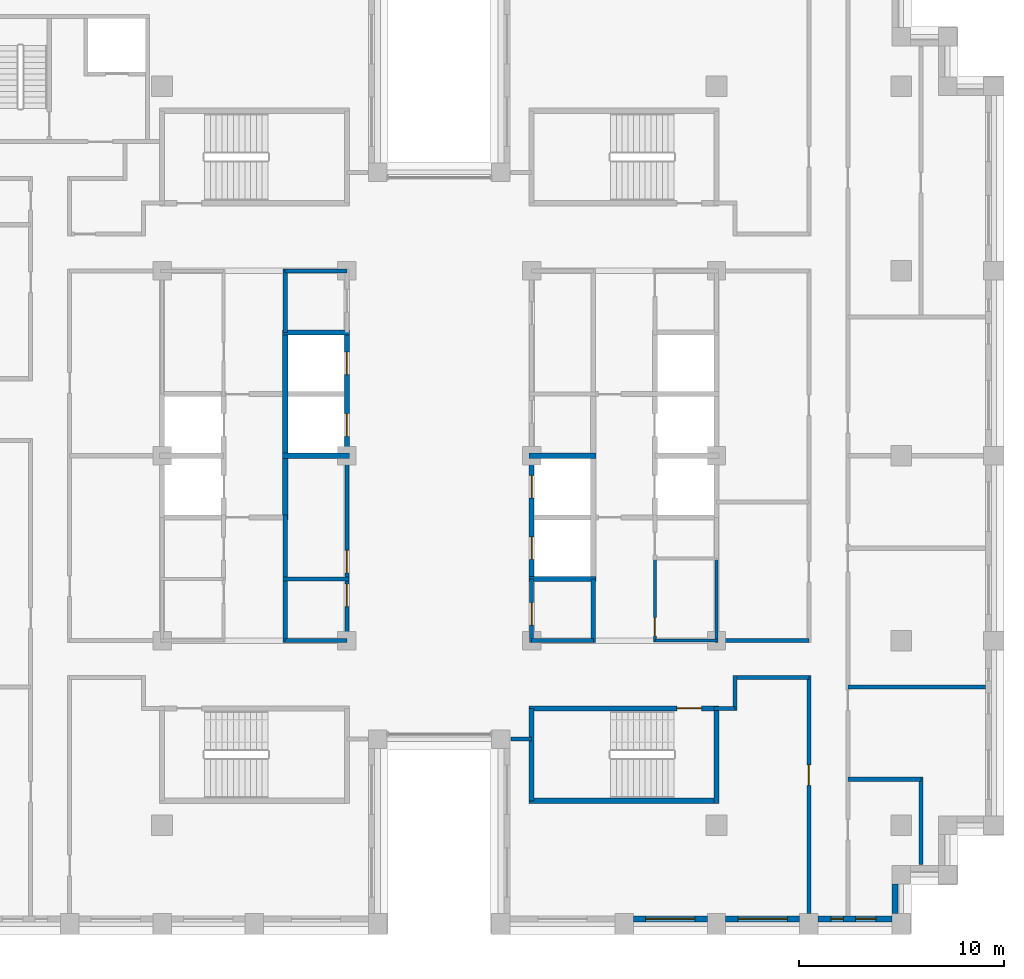
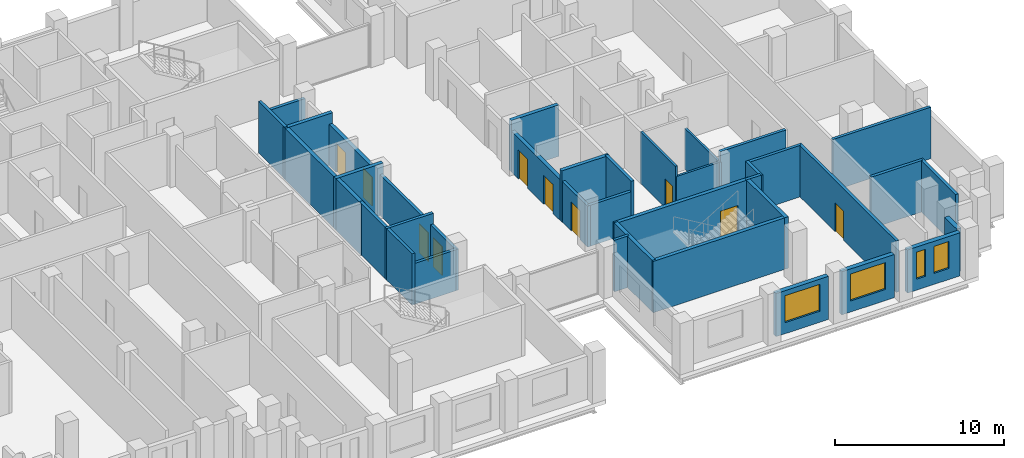
# One storey, part 8 of 15: 36 walls, 10 doors, 4 windows, 14 openings.
"""IFC4 building model written with IfcOpenShell, lengths in metres."""

from ifc_helpers import new_model, si_unit, direction, frame, frame_2d, origin, place, context, subcontext, project, spatial, rectangle, extrude, material, layer, layer_set, type_object, element, fill, save


model = new_model("IFC4")

# Units and contexts
model_context = context("Model", 3, precision=1e-05, world=origin(), true_north=direction((0.0, 1.0)))
body_context = subcontext(model_context, "Body", "Model", "MODEL_VIEW")
ifc_project = project(units=[si_unit("LENGTHUNIT", "METRE"), si_unit("AREAUNIT", "SQUARE_METRE"), si_unit("VOLUMEUNIT", "CUBIC_METRE"), si_unit("PLANEANGLEUNIT", "RADIAN"), si_unit("MASSUNIT", "GRAM", prefix="KILO")], contexts=[model_context])

# Site, building, storey
site_placement = place(None, origin())
site = spatial("IfcSite", under=ifc_project, at=site_placement, CompositionType="ELEMENT")
building_placement = place(site_placement, origin())
building = spatial("IfcBuilding", under=site, at=building_placement, Name="Corbelhall Arena Tower", CompositionType="ELEMENT")
storey_placement = place(building_placement, frame((0.0, 0.0, 200.0)))
storey = spatial("IfcBuildingStorey", under=building, at=storey_placement, Name="L41", CompositionType="ELEMENT", Elevation=200.0)

# Wall, opening, window
ifc_material_1 = material(Name="Precast concrete C40/50 with granite facing", Category="masonry")
ifc_layer_1 = layer(ifc_material_1, 0.300048828125)
ifc_layer_set_1 = layer_set([ifc_layer_1], Name="EV-IW1 Infill panel 300")
wall_type_1 = type_object("IfcWallType", Name="EV-IW1 Infill panel 300", PredefinedType="SOLIDWALL", material=ifc_layer_set_1)
wall_1_placement = place(storey_placement, frame((9.449951171875, -22.550048828125, 0.0), z_axis=(0.0, 0.0, 1.0), x_axis=(1.0, 0.0, 0.0)))
wall_1 = element("IfcWall", 1, at=wall_1_placement, inside=storey, type_object=wall_type_1, Name="Infill panel IW1", PredefinedType="SOLIDWALL", context=body_context, shape_type="SweptSolid", body=[
    extrude(rectangle(XDim=3.60009765625, YDim=0.300048828125, at=frame_2d((1.800048828125, 0.0))), origin(), (0.0, 0.0, 1.0), 3.1201171875),
])
opening_1_placement = place(wall_1_placement, frame((0.60009765625, 0.0, 0.800048828125)))
opening_1 = element("IfcOpeningElement", 2, at=opening_1_placement, cuts=wall_1, Name="Opening WN1", PredefinedType="OPENING", context=body_context, shape_type="SweptSolid", body=[
    extrude(rectangle(XDim=2.39990234375, YDim=1.949951171875, at=frame_2d((1.199951171875, 0.97509765625))), frame((0.0, 0.14990234375, 0.0), z_axis=(0.0, -1.0, 0.0), x_axis=(1.0, 0.0, 0.0)), (0.0, 0.0, 1.0), 0.300048828125),
])
ifc_material_2 = material(Name="Aluminium black anodised", Category="aluminium")
window_type_1 = type_object("IfcWindowType", Name="EV-WN1 Office window", PartitioningType="SINGLE_PANEL", PredefinedType="WINDOW", material=ifc_material_2)
window_1_placement = place(opening_1_placement, origin())
window_1 = element("IfcWindow", 3, at=window_1_placement, inside=storey, type_object=window_type_1, Name="Window WN1", OverallHeight=1.949951171875, OverallWidth=2.39990234375, PartitioningType="SINGLE_PANEL", PredefinedType="WINDOW", context=body_context, shape_type="SweptSolid", body=[
    extrude(rectangle(XDim=2.39990234375, YDim=1.949951171875, at=frame_2d((1.199951171875, 0.97509765625))), frame((0.0, 0.030029296875, 0.0), z_axis=(0.0, -1.0, 0.0), x_axis=(1.0, 0.0, 0.0)), (0.0, 0.0, 1.0), 0.06005859375),
])
fill(opening_1, window_1)

wall_2_placement = place(storey_placement, frame((13.949951171875, -22.550048828125, 0.0), z_axis=(0.0, 0.0, 1.0), x_axis=(1.0, 0.0, 0.0)))
wall_2 = element("IfcWall", 4, at=wall_2_placement, inside=storey, type_object=wall_type_1, Name="Infill panel IW1", PredefinedType="SOLIDWALL", context=body_context, shape_type="SweptSolid", body=[
    extrude(rectangle(XDim=3.60009765625, YDim=0.300048828125, at=frame_2d((1.800048828125, 0.0))), origin(), (0.0, 0.0, 1.0), 3.1201171875),
])
opening_2_placement = place(wall_2_placement, frame((0.60009765625, 0.0, 0.800048828125)))
opening_2 = element("IfcOpeningElement", 5, at=opening_2_placement, cuts=wall_2, Name="Opening WN1", PredefinedType="OPENING", context=body_context, shape_type="SweptSolid", body=[
    extrude(rectangle(XDim=2.39990234375, YDim=1.949951171875, at=frame_2d((1.199951171875, 0.97509765625))), frame((0.0, 0.14990234375, 0.0), z_axis=(0.0, -1.0, 0.0), x_axis=(1.0, 0.0, 0.0)), (0.0, 0.0, 1.0), 0.300048828125),
])
window_2_placement = place(opening_2_placement, origin())
window_2 = element("IfcWindow", 6, at=window_2_placement, inside=storey, type_object=window_type_1, Name="Window WN1", OverallHeight=1.949951171875, OverallWidth=2.39990234375, PartitioningType="SINGLE_PANEL", PredefinedType="WINDOW", context=body_context, shape_type="SweptSolid", body=[
    extrude(rectangle(XDim=2.39990234375, YDim=1.949951171875, at=frame_2d((1.199951171875, 0.97509765625))), frame((0.0, 0.030029296875, 0.0), z_axis=(0.0, -1.0, 0.0), x_axis=(1.0, 0.0, 0.0)), (0.0, 0.0, 1.0), 0.06005859375),
])
fill(opening_2, window_2)

# Wall, openings, windows
wall_3_placement = place(storey_placement, frame((18.449951171875, -22.550048828125, 0.0), z_axis=(0.0, 0.0, 1.0), x_axis=(1.0, 0.0, 0.0)))
wall_3 = element("IfcWall", 7, at=wall_3_placement, inside=storey, type_object=wall_type_1, Name="Infill panel IW1", PredefinedType="SOLIDWALL", context=body_context, shape_type="SweptSolid", body=[
    extrude(rectangle(XDim=3.60009765625, YDim=0.300048828125, at=frame_2d((1.800048828125, 0.0))), origin(), (0.0, 0.0, 1.0), 3.1201171875),
])
opening_3_placement = place(wall_3_placement, frame((0.625, 0.0, 0.800048828125)))
opening_3 = element("IfcOpeningElement", 8, at=opening_3_placement, cuts=wall_3, Name="Opening WN5", PredefinedType="OPENING", context=body_context, shape_type="SweptSolid", body=[
    extrude(rectangle(XDim=0.60009765625, YDim=1.949951171875, at=frame_2d((0.300048828125, 0.97509765625))), frame((0.0, 0.14990234375, 0.0), z_axis=(0.0, -1.0, 0.0), x_axis=(1.0, 0.0, 0.0)), (0.0, 0.0, 1.0), 0.300048828125),
])
opening_4_placement = place(wall_3_placement, frame((1.824951171875, 0.0, 0.800048828125)))
opening_4 = element("IfcOpeningElement", 9, at=opening_4_placement, cuts=wall_3, Name="Opening WN6", PredefinedType="OPENING", context=body_context, shape_type="SweptSolid", body=[
    extrude(rectangle(XDim=1.0, YDim=1.949951171875, at=frame_2d((0.5, 0.97509765625))), frame((0.0, 0.14990234375, 0.0), z_axis=(0.0, -1.0, 0.0), x_axis=(1.0, 0.0, 0.0)), (0.0, 0.0, 1.0), 0.300048828125),
])
window_type_2 = type_object("IfcWindowType", Name="EV-WN5 Office window 600", PartitioningType="SINGLE_PANEL", PredefinedType="WINDOW", material=ifc_material_2)
window_3_placement = place(opening_3_placement, origin())
window_3 = element("IfcWindow", 10, at=window_3_placement, inside=storey, type_object=window_type_2, Name="Window WN5", OverallHeight=1.949951171875, OverallWidth=0.60009765625, PartitioningType="SINGLE_PANEL", PredefinedType="WINDOW", context=body_context, shape_type="SweptSolid", body=[
    extrude(rectangle(XDim=0.60009765625, YDim=1.949951171875, at=frame_2d((0.300048828125, 0.97509765625))), frame((0.0, 0.030029296875, 0.0), z_axis=(0.0, -1.0, 0.0), x_axis=(1.0, 0.0, 0.0)), (0.0, 0.0, 1.0), 0.06005859375),
])
fill(opening_3, window_3)
window_type_3 = type_object("IfcWindowType", Name="EV-WN6 Office window 1000", PartitioningType="SINGLE_PANEL", PredefinedType="WINDOW", material=ifc_material_2)
window_4_placement = place(opening_4_placement, origin())
window_4 = element("IfcWindow", 11, at=window_4_placement, inside=storey, type_object=window_type_3, Name="Window WN6", OverallHeight=1.949951171875, OverallWidth=1.0, PartitioningType="SINGLE_PANEL", PredefinedType="WINDOW", context=body_context, shape_type="SweptSolid", body=[
    extrude(rectangle(XDim=1.0, YDim=1.949951171875, at=frame_2d((0.5, 0.97509765625))), frame((0.0, 0.030029296875, 0.0), z_axis=(0.0, -1.0, 0.0), x_axis=(1.0, 0.0, 0.0)), (0.0, 0.0, 1.0), 0.06005859375),
])
fill(opening_4, window_4)

# Walls
wall_4_placement = place(storey_placement, frame((22.199951171875, -22.300048828125, 0.0), z_axis=(0.0, 0.0, 1.0), x_axis=(0.0, 1.0, 0.0)))
element("IfcWall", 12, at=wall_4_placement, inside=storey, type_object=wall_type_1, Name="Infill panel IW1", PredefinedType="SOLIDWALL", context=body_context, shape_type="SweptSolid", body=[
    extrude(rectangle(XDim=1.449951171875, YDim=0.300048828125, at=frame_2d((0.72509765625, 0.0))), origin(), (0.0, 0.0, 1.0), 3.1201171875),
])
ifc_material_3 = material(Name="Gypsum board on steel stud, acoustic", Category="steel")
ifc_layer_2 = layer(ifc_material_3, 0.199951171875)
ifc_layer_set_2 = layer_set([ifc_layer_2], Name="IN-W-DM200")
wall_type_2 = type_object("IfcWallType", Name="IN-W-DM200", PredefinedType="PARTITIONING", material=ifc_layer_set_2)
wall_5_placement = place(storey_placement, frame((4.5, -13.800048828125, 0.0), z_axis=(0.0, 0.0, 1.0), x_axis=(-1.0, 0.0, 0.0)))
element("IfcWall", 13, at=wall_5_placement, inside=storey, type_object=wall_type_2, Name="Partition 035", PredefinedType="PARTITIONING", context=body_context, shape_type="SweptSolid", body=[
    extrude(rectangle(XDim=1.0, YDim=0.199951171875, at=frame_2d((0.5, 0.0))), origin(), (0.0, 0.0, 1.0), 3.719970703125),
])
wall_6_placement = place(storey_placement, frame((13.5, -9.0, 0.0), z_axis=(0.0, 0.0, 1.0), x_axis=(1.0, 0.0, 0.0)))
element("IfcWall", 14, at=wall_6_placement, inside=storey, type_object=wall_type_2, Name="Partition 037", PredefinedType="PARTITIONING", context=body_context, shape_type="SweptSolid", body=[
    extrude(rectangle(XDim=4.5, YDim=0.199951171875, at=frame_2d((2.25, 0.0))), origin(), (0.0, 0.0, 1.0), 3.719970703125),
])
wall_7_placement = place(storey_placement, frame((14.39990234375, -12.300048828125, 0.0), z_axis=(0.0, 0.0, 1.0), x_axis=(-1.0, 0.0, 0.0)))
element("IfcWall", 15, at=wall_7_placement, inside=storey, type_object=wall_type_2, Name="Partition 039", PredefinedType="PARTITIONING", context=body_context, shape_type="SweptSolid", body=[
    extrude(rectangle(XDim=1.02490234375, YDim=0.199951171875, at=frame_2d((0.512451171875, 0.0))), origin(), (0.0, 0.0, 1.0), 3.719970703125),
])
wall_8_placement = place(storey_placement, frame((14.39990234375, -10.699951171875, 0.0), z_axis=(0.0, 0.0, 1.0), x_axis=(0.0, -1.0, 0.0)))
element("IfcWall", 16, at=wall_8_placement, inside=storey, type_object=wall_type_2, Name="Partition 040", PredefinedType="PARTITIONING", context=body_context, shape_type="SweptSolid", body=[
    extrude(rectangle(XDim=1.699951171875, YDim=0.199951171875, at=frame_2d((0.85009765625, 0.0))), origin(), (0.0, 0.0, 1.0), 3.719970703125),
])

# Wall, opening, door
wall_9_placement = place(storey_placement, frame((18.0, -22.300048828125, 0.0), z_axis=(0.0, 0.0, 1.0), x_axis=(0.0, 1.0, 0.0)))
wall_9 = element("IfcWall", 17, at=wall_9_placement, inside=storey, type_object=wall_type_2, Name="Partition 044", PredefinedType="PARTITIONING", context=body_context, shape_type="SweptSolid", body=[
    extrude(rectangle(XDim=11.60009765625, YDim=0.199951171875, at=frame_2d((5.800048828125, 0.0))), origin(), (0.0, 0.0, 1.0), 3.719970703125),
])
opening_5_placement = place(wall_9_placement, frame((6.25, 0.0, 0.0)))
opening_5 = element("IfcOpeningElement", 18, at=opening_5_placement, cuts=wall_9, Name="Opening 12030", PredefinedType="OPENING", context=body_context, shape_type="SweptSolid", body=[
    extrude(rectangle(XDim=1.0, YDim=2.10009765625, at=frame_2d((0.5, 1.050048828125))), frame((0.0, 0.10009765625, 0.0), z_axis=(0.0, -1.0, 0.0), x_axis=(1.0, 0.0, 0.0)), (0.0, 0.0, 1.0), 0.199951171875),
])
ifc_material_4 = material(Name="Steel door set", Category="steel")
door_type_1 = type_object("IfcDoorType", Name="IN-D-SW100", OperationType="NOTDEFINED", PredefinedType="DOOR", material=ifc_material_4)
door_1_placement = place(opening_5_placement, origin())
door_1 = element("IfcDoor", 19, at=door_1_placement, inside=storey, type_object=door_type_1, Name="Door 030", OperationType="SINGLE_SWING_LEFT", OverallHeight=2.10009765625, OverallWidth=1.0, PredefinedType="DOOR", context=body_context, shape_type="SweptSolid", body=[
    extrude(rectangle(XDim=1.0, YDim=2.10009765625, at=frame_2d((0.5, 1.050048828125))), frame((0.0, 0.02490234375, 0.0), z_axis=(0.0, -1.0, 0.0), x_axis=(1.0, 0.0, 0.0)), (0.0, 0.0, 1.0), 0.050048828125),
])
fill(opening_5, door_1)

# Walls
wall_10_placement = place(storey_placement, frame((18.0, -10.800048828125, 0.0), z_axis=(0.0, 0.0, 1.0), x_axis=(-1.0, 0.0, 0.0)))
element("IfcWall", 20, at=wall_10_placement, inside=storey, type_object=wall_type_2, Name="Partition 045", PredefinedType="PARTITIONING", context=body_context, shape_type="SweptSolid", body=[
    extrude(rectangle(XDim=3.60009765625, YDim=0.199951171875, at=frame_2d((1.800048828125, 0.0))), origin(), (0.0, 0.0, 1.0), 3.719970703125),
])
wall_11_placement = place(storey_placement, frame((19.89990234375, -15.75, 0.0), z_axis=(0.0, 0.0, 1.0), x_axis=(1.0, 0.0, 0.0)))
element("IfcWall", 21, at=wall_11_placement, inside=storey, type_object=wall_type_2, Name="Partition 048", PredefinedType="PARTITIONING", context=body_context, shape_type="SweptSolid", body=[
    extrude(rectangle(XDim=3.550048828125, YDim=0.199951171875, at=frame_2d((1.77490234375, 0.0))), origin(), (0.0, 0.0, 1.0), 3.719970703125),
])
wall_12_placement = place(storey_placement, frame((19.89990234375, -11.25, 0.0), z_axis=(0.0, 0.0, 1.0), x_axis=(1.0, 0.0, 0.0)))
element("IfcWall", 22, at=wall_12_placement, inside=storey, type_object=wall_type_2, Name="Partition 050", PredefinedType="PARTITIONING", context=body_context, shape_type="SweptSolid", body=[
    extrude(rectangle(XDim=6.7001953125, YDim=0.199951171875, at=frame_2d((3.35009765625, 0.0))), origin(), (0.0, 0.0, 1.0), 3.719970703125),
])
wall_13_placement = place(storey_placement, frame((23.449951171875, -15.64990234375, 0.0), z_axis=(0.0, 0.0, 1.0), x_axis=(0.0, -1.0, 0.0)))
element("IfcWall", 23, at=wall_13_placement, inside=storey, type_object=wall_type_2, Name="Partition 053", PredefinedType="PARTITIONING", context=body_context, shape_type="SweptSolid", body=[
    extrude(rectangle(XDim=4.25, YDim=0.199951171875, at=frame_2d((2.125, 0.0))), origin(), (0.0, 0.0, 1.0), 3.719970703125),
])
ifc_material_5 = material(Name="Concrete block wall", Category="concrete")
ifc_layer_3 = layer(ifc_material_5, 0.199951171875)
ifc_layer_set_3 = layer_set([ifc_layer_3], Name="IN-W-RS200")
wall_type_3 = type_object("IfcWallType", Name="IN-W-RS200", PredefinedType="SOLIDWALL", material=ifc_layer_set_3)
wall_14_placement = place(storey_placement, frame((-7.60009765625, -6.0, 0.0), z_axis=(0.0, 0.0, 1.0), x_axis=(1.0, 0.0, 0.0)))
element("IfcWall", 24, at=wall_14_placement, inside=storey, type_object=wall_type_3, Name="Partition 058", PredefinedType="SOLIDWALL", context=body_context, shape_type="SweptSolid", body=[
    extrude(rectangle(XDim=3.2001953125, YDim=0.199951171875, at=frame_2d((1.60009765625, 0.0))), origin(), (0.0, 0.0, 1.0), 3.719970703125),
])
wall_15_placement = place(storey_placement, frame((-7.5, -9.10009765625, 0.0), z_axis=(0.0, 0.0, 1.0), x_axis=(0.0, 1.0, 0.0)))
element("IfcWall", 25, at=wall_15_placement, inside=storey, type_object=wall_type_3, Name="Partition 059", PredefinedType="SOLIDWALL", context=body_context, shape_type="SweptSolid", body=[
    extrude(rectangle(XDim=6.22509765625, YDim=0.199951171875, at=frame_2d((3.112548828125, 0.0))), origin(), (0.0, 0.0, 1.0), 3.719970703125),
])
for number, where, z_axis, x_axis, name in (
    (26, (-7.5, 6.0, 0.0), (0.0, 0.0, 1.0), (0.0, 1.0, 0.0), "Partition 060"),
    (27, (7.5, -6.0, 0.0), (0.0, 0.0, 1.0), (0.0, -1.0, 0.0), "Partition 070"),
):
    element("IfcWall", number, at=place(storey_placement, frame(where, z_axis=z_axis, x_axis=x_axis)), inside=storey, type_object=wall_type_3, Name=name, PredefinedType="SOLIDWALL", context=body_context, shape_type="SweptSolid", body=[
        extrude(rectangle(XDim=3.10009765625, YDim=0.199951171875, at=frame_2d((1.550048828125, 0.0))), origin(), (0.0, 0.0, 1.0), 3.719970703125),
    ])
ifc_layer_4 = layer(ifc_material_5, 0.199951171875)
ifc_layer_set_4 = layer_set([ifc_layer_4], Name="IN-W-RS200 under beam 762 mm")
wall_type_4 = type_object("IfcWallType", Name="IN-W-RS200 under beam 762 mm", PredefinedType="SOLIDWALL", material=ifc_layer_set_4)
for number, where, z_axis, x_axis, name in (
    (28, (-7.5, 9.0, 0.0), (0.0, 0.0, 1.0), (1.0, 0.0, 0.0), "Partition 061"),
    (29, (-4.5, -9.0, 0.0), (0.0, 0.0, 1.0), (-1.0, 0.0, 0.0), "Partition 062"),
):
    element("IfcWall", number, at=place(storey_placement, frame(where, z_axis=z_axis, x_axis=x_axis)), inside=storey, type_object=wall_type_4, Name=name, PredefinedType="SOLIDWALL", context=body_context, shape_type="SweptSolid", body=[
        extrude(rectangle(XDim=3.0, YDim=0.199951171875, at=frame_2d((1.5, 0.0))), origin(), (0.0, 0.0, 1.0), 2.9580078125),
    ])

# Wall, openings, doors
wall_16_placement = place(storey_placement, frame((-4.5, 0.0, 0.0), z_axis=(0.0, 0.0, 1.0), x_axis=(0.0, -1.0, 0.0)))
wall_16 = element("IfcWall", 30, at=wall_16_placement, inside=storey, type_object=wall_type_4, Name="Partition 063", PredefinedType="SOLIDWALL", context=body_context, shape_type="SweptSolid", body=[
    extrude(rectangle(XDim=9.10009765625, YDim=0.199951171875, at=frame_2d((4.550048828125, 0.0))), origin(), (0.0, 0.0, 1.0), 2.9580078125),
])
opening_6_placement = place(wall_16_placement, frame((6.25, 0.0, 0.0)))
opening_6 = element("IfcOpeningElement", 31, at=opening_6_placement, cuts=wall_16, Name="Opening 12001", PredefinedType="OPENING", context=body_context, shape_type="SweptSolid", body=[
    extrude(rectangle(XDim=1.10009765625, YDim=2.10009765625, at=frame_2d((0.550048828125, 1.050048828125))), frame((0.0, 0.10009765625, 0.0), z_axis=(0.0, -1.0, 0.0), x_axis=(1.0, 0.0, 0.0)), (0.0, 0.0, 1.0), 0.199951171875),
])
opening_7_placement = place(wall_16_placement, frame((4.60009765625, 0.0, 0.0)))
opening_7 = element("IfcOpeningElement", 32, at=opening_7_placement, cuts=wall_16, Name="Opening 12002", PredefinedType="OPENING", context=body_context, shape_type="SweptSolid", body=[
    extrude(rectangle(XDim=1.10009765625, YDim=2.10009765625, at=frame_2d((0.550048828125, 1.050048828125))), frame((0.0, 0.10009765625, 0.0), z_axis=(0.0, -1.0, 0.0), x_axis=(1.0, 0.0, 0.0)), (0.0, 0.0, 1.0), 0.199951171875),
])
door_type_2 = type_object("IfcDoorType", Name="IN-D-FD110", OperationType="NOTDEFINED", PredefinedType="DOOR", material=ifc_material_4)
door_2_placement = place(opening_6_placement, origin())
door_2 = element("IfcDoor", 33, at=door_2_placement, inside=storey, type_object=door_type_2, Name="Door 001", OperationType="SINGLE_SWING_RIGHT", OverallHeight=2.10009765625, OverallWidth=1.10009765625, PredefinedType="DOOR", context=body_context, shape_type="SweptSolid", body=[
    extrude(rectangle(XDim=1.10009765625, YDim=2.10009765625, at=frame_2d((0.550048828125, 1.050048828125))), frame((0.0, 0.02490234375, 0.0), z_axis=(0.0, -1.0, 0.0), x_axis=(1.0, 0.0, 0.0)), (0.0, 0.0, 1.0), 0.050048828125),
])
fill(opening_6, door_2)
door_3_placement = place(opening_7_placement, origin())
door_3 = element("IfcDoor", 34, at=door_3_placement, inside=storey, type_object=door_type_2, Name="Door 002", OperationType="SINGLE_SWING_LEFT", OverallHeight=2.10009765625, OverallWidth=1.10009765625, PredefinedType="DOOR", context=body_context, shape_type="SweptSolid", body=[
    extrude(rectangle(XDim=1.10009765625, YDim=2.10009765625, at=frame_2d((0.550048828125, 1.050048828125))), frame((0.0, 0.02490234375, 0.0), z_axis=(0.0, -1.0, 0.0), x_axis=(1.0, 0.0, 0.0)), (0.0, 0.0, 1.0), 0.050048828125),
])
fill(opening_7, door_3)

# Wall, opening, door
wall_17_placement = place(storey_placement, frame((4.5, -9.10009765625, 0.0), z_axis=(0.0, 0.0, 1.0), x_axis=(0.0, 1.0, 0.0)))
wall_17 = element("IfcWall", 35, at=wall_17_placement, inside=storey, type_object=wall_type_4, Name="Partition 066", PredefinedType="SOLIDWALL", context=body_context, shape_type="SweptSolid", body=[
    extrude(rectangle(XDim=3.10009765625, YDim=0.199951171875, at=frame_2d((1.550048828125, 0.0))), origin(), (0.0, 0.0, 1.0), 2.9580078125),
])
opening_8_placement = place(wall_17_placement, frame((0.85009765625, 0.0, 0.0)))
opening_8 = element("IfcOpeningElement", 36, at=opening_8_placement, cuts=wall_17, Name="Opening 12009", PredefinedType="OPENING", context=body_context, shape_type="SweptSolid", body=[
    extrude(rectangle(XDim=1.10009765625, YDim=2.10009765625, at=frame_2d((0.550048828125, 1.050048828125))), frame((0.0, 0.10009765625, 0.0), z_axis=(0.0, -1.0, 0.0), x_axis=(1.0, 0.0, 0.0)), (0.0, 0.0, 1.0), 0.199951171875),
])
door_4_placement = place(opening_8_placement, origin())
door_4 = element("IfcDoor", 37, at=door_4_placement, inside=storey, type_object=door_type_2, Name="Door 009", OperationType="SINGLE_SWING_RIGHT", OverallHeight=2.10009765625, OverallWidth=1.10009765625, PredefinedType="DOOR", context=body_context, shape_type="SweptSolid", body=[
    extrude(rectangle(XDim=1.10009765625, YDim=2.10009765625, at=frame_2d((0.550048828125, 1.050048828125))), frame((0.0, 0.02490234375, 0.0), z_axis=(0.0, -1.0, 0.0), x_axis=(1.0, 0.0, 0.0)), (0.0, 0.0, 1.0), 0.050048828125),
])
fill(opening_8, door_4)

# Walls
wall_18_placement = place(storey_placement, frame((7.5, -9.0, 0.0), z_axis=(0.0, 0.0, 1.0), x_axis=(-1.0, 0.0, 0.0)))
element("IfcWall", 38, at=wall_18_placement, inside=storey, type_object=wall_type_4, Name="Partition 069", PredefinedType="SOLIDWALL", context=body_context, shape_type="SweptSolid", body=[
    extrude(rectangle(XDim=3.0, YDim=0.199951171875, at=frame_2d((1.5, 0.0))), origin(), (0.0, 0.0, 1.0), 2.9580078125),
])
ifc_material_6 = material(Name="Concrete C40/50", Category="concrete")
ifc_layer_5 = layer(ifc_material_6, 0.25)
ifc_layer_set_5 = layer_set([ifc_layer_5], Name="IN-W-SH250")
wall_type_5 = type_object("IfcWallType", Name="IN-W-SH250", PredefinedType="SOLIDWALL", material=ifc_layer_set_5)
for number, where, z_axis, x_axis, name in (
    (39, (-7.625, 0.0, 0.0), (0.0, 0.0, 1.0), (1.0, 0.0, 0.0), "Shaft wall 082"),
    (40, (-7.625, 6.0, 0.0), (0.0, 0.0, 1.0), (1.0, 0.0, 0.0), "Shaft wall 083"),
):
    element("IfcWall", number, at=place(storey_placement, frame(where, z_axis=z_axis, x_axis=x_axis)), inside=storey, type_object=wall_type_5, Name=name, PredefinedType="SOLIDWALL", context=body_context, shape_type="SweptSolid", body=[
        extrude(rectangle(XDim=3.25, YDim=0.25, at=frame_2d((1.625, 0.0))), origin(), (0.0, 0.0, 1.0), 3.719970703125),
    ])
wall_19_placement = place(storey_placement, frame((-7.5, -3.125, 0.0), z_axis=(0.0, 0.0, 1.0), x_axis=(0.0, 1.0, 0.0)))
element("IfcWall", 41, at=wall_19_placement, inside=storey, type_object=wall_type_5, Name="Shaft wall 084", PredefinedType="SOLIDWALL", context=body_context, shape_type="SweptSolid", body=[
    extrude(rectangle(XDim=9.125, YDim=0.25, at=frame_2d((4.5625, 0.0))), origin(), (0.0, 0.0, 1.0), 3.719970703125),
])
for number, where, z_axis, x_axis, name in (
    (42, (4.375, -6.0, 0.0), (0.0, 0.0, 1.0), (1.0, 0.0, 0.0), "Shaft wall 086"),
    (43, (4.375, 0.0, 0.0), (0.0, 0.0, 1.0), (1.0, 0.0, 0.0), "Shaft wall 088"),
):
    element("IfcWall", number, at=place(storey_placement, frame(where, z_axis=z_axis, x_axis=x_axis)), inside=storey, type_object=wall_type_5, Name=name, PredefinedType="SOLIDWALL", context=body_context, shape_type="SweptSolid", body=[
        extrude(rectangle(XDim=3.25, YDim=0.25, at=frame_2d((1.625, 0.0))), origin(), (0.0, 0.0, 1.0), 3.719970703125),
    ])

# Wall, openings, doors
ifc_layer_6 = layer(ifc_material_6, 0.25)
ifc_layer_set_6 = layer_set([ifc_layer_6], Name="IN-W-SH250 under beam 762 mm")
wall_type_6 = type_object("IfcWallType", Name="IN-W-SH250 under beam 762 mm", PredefinedType="SOLIDWALL", material=ifc_layer_set_6)
wall_20_placement = place(storey_placement, frame((-4.5, 6.0, 0.0), z_axis=(0.0, 0.0, 1.0), x_axis=(0.0, -1.0, 0.0)))
wall_20 = element("IfcWall", 44, at=wall_20_placement, inside=storey, type_object=wall_type_6, Name="Shaft wall 085", PredefinedType="SOLIDWALL", context=body_context, shape_type="SweptSolid", body=[
    extrude(rectangle(XDim=6.0, YDim=0.25, at=frame_2d((3.0, 0.0))), origin(), (0.0, 0.0, 1.0), 2.9580078125),
])
opening_9_placement = place(wall_20_placement, frame((3.949951171875, 0.0, 0.0)))
opening_9 = element("IfcOpeningElement", 45, at=opening_9_placement, cuts=wall_20, Name="Opening LD", PredefinedType="OPENING", context=body_context, shape_type="SweptSolid", body=[
    extrude(rectangle(XDim=1.10009765625, YDim=2.10009765625, at=frame_2d((0.550048828125, 1.050048828125))), frame((0.0, 0.125, 0.0), z_axis=(0.0, -1.0, 0.0), x_axis=(1.0, 0.0, 0.0)), (0.0, 0.0, 1.0), 0.25),
])
opening_10_placement = place(wall_20_placement, frame((0.949951171875, 0.0, 0.0)))
opening_10 = element("IfcOpeningElement", 46, at=opening_10_placement, cuts=wall_20, Name="Opening LD", PredefinedType="OPENING", context=body_context, shape_type="SweptSolid", body=[
    extrude(rectangle(XDim=1.10009765625, YDim=2.10009765625, at=frame_2d((0.550048828125, 1.050048828125))), frame((0.0, 0.125, 0.0), z_axis=(0.0, -1.0, 0.0), x_axis=(1.0, 0.0, 0.0)), (0.0, 0.0, 1.0), 0.25),
])
door_type_3 = type_object("IfcDoorType", Name="IN-D-LD110", OperationType="NOTDEFINED", PredefinedType="DOOR", material=ifc_material_4)
door_5_placement = place(opening_9_placement, origin())
door_5 = element("IfcDoor", 47, at=door_5_placement, inside=storey, type_object=door_type_3, Name="Landing door W4", OperationType="SLIDING_TO_LEFT", OverallHeight=2.10009765625, OverallWidth=1.10009765625, PredefinedType="DOOR", context=body_context, shape_type="SweptSolid", body=[
    extrude(rectangle(XDim=1.10009765625, YDim=2.10009765625, at=frame_2d((0.550048828125, 1.050048828125))), frame((0.0, 0.02490234375, 0.0), z_axis=(0.0, -1.0, 0.0), x_axis=(1.0, 0.0, 0.0)), (0.0, 0.0, 1.0), 0.050048828125),
])
fill(opening_9, door_5)
door_6_placement = place(opening_10_placement, origin())
door_6 = element("IfcDoor", 48, at=door_6_placement, inside=storey, type_object=door_type_3, Name="Landing door W5", OperationType="SLIDING_TO_LEFT", OverallHeight=2.10009765625, OverallWidth=1.10009765625, PredefinedType="DOOR", context=body_context, shape_type="SweptSolid", body=[
    extrude(rectangle(XDim=1.10009765625, YDim=2.10009765625, at=frame_2d((0.550048828125, 1.050048828125))), frame((0.0, 0.02490234375, 0.0), z_axis=(0.0, -1.0, 0.0), x_axis=(1.0, 0.0, 0.0)), (0.0, 0.0, 1.0), 0.050048828125),
])
fill(opening_10, door_6)

wall_21_placement = place(storey_placement, frame((4.5, -6.0, 0.0), z_axis=(0.0, 0.0, 1.0), x_axis=(0.0, 1.0, 0.0)))
wall_21 = element("IfcWall", 49, at=wall_21_placement, inside=storey, type_object=wall_type_6, Name="Shaft wall 089", PredefinedType="SOLIDWALL", context=body_context, shape_type="SweptSolid", body=[
    extrude(rectangle(XDim=6.0, YDim=0.25, at=frame_2d((3.0, 0.0))), origin(), (0.0, 0.0, 1.0), 2.9580078125),
])
opening_11_placement = place(wall_21_placement, frame((0.949951171875, 0.0, 0.0)))
opening_11 = element("IfcOpeningElement", 50, at=opening_11_placement, cuts=wall_21, Name="Opening LD", PredefinedType="OPENING", context=body_context, shape_type="SweptSolid", body=[
    extrude(rectangle(XDim=1.10009765625, YDim=2.10009765625, at=frame_2d((0.550048828125, 1.050048828125))), frame((0.0, 0.125, 0.0), z_axis=(0.0, -1.0, 0.0), x_axis=(1.0, 0.0, 0.0)), (0.0, 0.0, 1.0), 0.25),
])
opening_12_placement = place(wall_21_placement, frame((3.949951171875, 0.0, 0.0)))
opening_12 = element("IfcOpeningElement", 51, at=opening_12_placement, cuts=wall_21, Name="Opening LD", PredefinedType="OPENING", context=body_context, shape_type="SweptSolid", body=[
    extrude(rectangle(XDim=1.10009765625, YDim=2.10009765625, at=frame_2d((0.550048828125, 1.050048828125))), frame((0.0, 0.125, 0.0), z_axis=(0.0, -1.0, 0.0), x_axis=(1.0, 0.0, 0.0)), (0.0, 0.0, 1.0), 0.25),
])
door_7_placement = place(opening_11_placement, origin())
door_7 = element("IfcDoor", 52, at=door_7_placement, inside=storey, type_object=door_type_3, Name="Landing door E2", OperationType="SLIDING_TO_LEFT", OverallHeight=2.10009765625, OverallWidth=1.10009765625, PredefinedType="DOOR", context=body_context, shape_type="SweptSolid", body=[
    extrude(rectangle(XDim=1.10009765625, YDim=2.10009765625, at=frame_2d((0.550048828125, 1.050048828125))), frame((0.0, 0.02490234375, 0.0), z_axis=(0.0, -1.0, 0.0), x_axis=(1.0, 0.0, 0.0)), (0.0, 0.0, 1.0), 0.050048828125),
])
fill(opening_11, door_7)
door_8_placement = place(opening_12_placement, origin())
door_8 = element("IfcDoor", 53, at=door_8_placement, inside=storey, type_object=door_type_3, Name="Landing door E3", OperationType="SLIDING_TO_LEFT", OverallHeight=2.10009765625, OverallWidth=1.10009765625, PredefinedType="DOOR", context=body_context, shape_type="SweptSolid", body=[
    extrude(rectangle(XDim=1.10009765625, YDim=2.10009765625, at=frame_2d((0.550048828125, 1.050048828125))), frame((0.0, 0.02490234375, 0.0), z_axis=(0.0, -1.0, 0.0), x_axis=(1.0, 0.0, 0.0)), (0.0, 0.0, 1.0), 0.050048828125),
])
fill(opening_12, door_8)

# Walls
ifc_layer_7 = layer(ifc_material_6, 0.25)
ifc_layer_set_7 = layer_set([ifc_layer_7], Name="IN-W-ST250")
wall_type_7 = type_object("IfcWallType", Name="IN-W-ST250", PredefinedType="SOLIDWALL", material=ifc_layer_set_7)
wall_22_placement = place(storey_placement, frame((4.5, -16.800048828125, 0.0), z_axis=(0.0, 0.0, 1.0), x_axis=(0.0, 1.0, 0.0)))
element("IfcWall", 54, at=wall_22_placement, inside=storey, type_object=wall_type_7, Name="Shaft wall 112", PredefinedType="SOLIDWALL", context=body_context, shape_type="SweptSolid", body=[
    extrude(rectangle(XDim=4.5, YDim=0.25, at=frame_2d((2.25, 0.0))), origin(), (0.0, 0.0, 1.0), 3.719970703125),
])
wall_23_placement = place(storey_placement, frame((13.5, -16.800048828125, 0.0), z_axis=(0.0, 0.0, 1.0), x_axis=(-1.0, 0.0, 0.0)))
element("IfcWall", 55, at=wall_23_placement, inside=storey, type_object=wall_type_7, Name="Shaft wall 114", PredefinedType="SOLIDWALL", context=body_context, shape_type="SweptSolid", body=[
    extrude(rectangle(XDim=9.125, YDim=0.25, at=frame_2d((4.5625, 0.0))), origin(), (0.0, 0.0, 1.0), 3.719970703125),
])
wall_24_placement = place(storey_placement, frame((13.5, -12.300048828125, 0.0), z_axis=(0.0, 0.0, 1.0), x_axis=(0.0, -1.0, 0.0)))
element("IfcWall", 56, at=wall_24_placement, inside=storey, type_object=wall_type_7, Name="Shaft wall 115", PredefinedType="SOLIDWALL", context=body_context, shape_type="SweptSolid", body=[
    extrude(rectangle(XDim=4.625, YDim=0.25, at=frame_2d((2.3125, 0.0))), origin(), (0.0, 0.0, 1.0), 3.719970703125),
])

# Wall, opening, door
wall_25_placement = place(storey_placement, frame((13.625, -12.300048828125, 0.0), z_axis=(0.0, 0.0, 1.0), x_axis=(-1.0, 0.0, 0.0)))
wall_25 = element("IfcWall", 57, at=wall_25_placement, inside=storey, type_object=wall_type_7, Name="Shaft wall 117", PredefinedType="SOLIDWALL", context=body_context, shape_type="SweptSolid", body=[
    extrude(rectangle(XDim=9.25, YDim=0.25, at=frame_2d((4.625, 0.0))), origin(), (0.0, 0.0, 1.0), 3.719970703125),
])
opening_13_placement = place(wall_25_placement, frame((0.85009765625, 0.0, 0.0)))
opening_13 = element("IfcOpeningElement", 58, at=opening_13_placement, cuts=wall_25, Name="Opening 12020", PredefinedType="OPENING", context=body_context, shape_type="SweptSolid", body=[
    extrude(rectangle(XDim=1.199951171875, YDim=2.10009765625, at=frame_2d((0.60009765625, 1.050048828125))), frame((0.0, 0.125, 0.0), z_axis=(0.0, -1.0, 0.0), x_axis=(1.0, 0.0, 0.0)), (0.0, 0.0, 1.0), 0.25),
])
door_type_4 = type_object("IfcDoorType", Name="IN-D-ST120", OperationType="NOTDEFINED", PredefinedType="DOOR", material=ifc_material_4)
door_9_placement = place(opening_13_placement, origin())
door_9 = element("IfcDoor", 59, at=door_9_placement, inside=storey, type_object=door_type_4, Name="Door 020", OperationType="SINGLE_SWING_LEFT", OverallHeight=2.10009765625, OverallWidth=1.199951171875, PredefinedType="DOOR", context=body_context, shape_type="SweptSolid", body=[
    extrude(rectangle(XDim=1.199951171875, YDim=2.10009765625, at=frame_2d((0.60009765625, 1.050048828125))), frame((0.0, 0.02490234375, 0.0), z_axis=(0.0, -1.0, 0.0), x_axis=(1.0, 0.0, 0.0)), (0.0, 0.0, 1.0), 0.050048828125),
])
fill(opening_13, door_9)

ifc_material_7 = material(Name="Gypsum board on steel stud, moisture resistant", Category="steel")
ifc_layer_8 = layer(ifc_material_7, 0.14990234375)
ifc_layer_set_8 = layer_set([ifc_layer_8], Name="IN-W-WC150")
wall_type_8 = type_object("IfcWallType", Name="IN-W-WC150", PredefinedType="PARTITIONING", material=ifc_layer_set_8)
wall_26_placement = place(storey_placement, frame((10.5, -4.925048828125, 0.0), z_axis=(0.0, 0.0, 1.0), x_axis=(0.0, -1.0, 0.0)))
wall_26 = element("IfcWall", 60, at=wall_26_placement, inside=storey, type_object=wall_type_8, Name="Partition 126", PredefinedType="PARTITIONING", context=body_context, shape_type="SweptSolid", body=[
    extrude(rectangle(XDim=4.14990234375, YDim=0.14990234375, at=frame_2d((2.074951171875, 0.0))), origin(), (0.0, 0.0, 1.0), 3.719970703125),
])
opening_14_placement = place(wall_26_placement, frame((2.949951171875, 0.0, 0.0)))
opening_14 = element("IfcOpeningElement", 61, at=opening_14_placement, cuts=wall_26, Name="Opening 12014", PredefinedType="OPENING", context=body_context, shape_type="SweptSolid", body=[
    extrude(rectangle(XDim=0.89990234375, YDim=2.10009765625, at=frame_2d((0.449951171875, 1.050048828125))), frame((0.0, 0.074951171875, 0.0), z_axis=(0.0, -1.0, 0.0), x_axis=(1.0, 0.0, 0.0)), (0.0, 0.0, 1.0), 0.14990234375),
])
ifc_material_8 = material(Name="Timber door set", Category="wood")
door_type_5 = type_object("IfcDoorType", Name="IN-D-SW90", OperationType="NOTDEFINED", PredefinedType="DOOR", material=ifc_material_8)
door_10_placement = place(opening_14_placement, origin())
door_10 = element("IfcDoor", 62, at=door_10_placement, inside=storey, type_object=door_type_5, Name="Door 014", OperationType="SINGLE_SWING_LEFT", OverallHeight=2.10009765625, OverallWidth=0.89990234375, PredefinedType="DOOR", context=body_context, shape_type="SweptSolid", body=[
    extrude(rectangle(XDim=0.89990234375, YDim=2.10009765625, at=frame_2d((0.449951171875, 1.050048828125))), frame((0.0, 0.02490234375, 0.0), z_axis=(0.0, -1.0, 0.0), x_axis=(1.0, 0.0, 0.0)), (0.0, 0.0, 1.0), 0.050048828125),
])
fill(opening_14, door_10)

# Walls
ifc_layer_9 = layer(ifc_material_7, 0.14990234375)
ifc_layer_set_9 = layer_set([ifc_layer_9], Name="IN-W-WC150 under beam 762 mm")
wall_type_9 = type_object("IfcWallType", Name="IN-W-WC150 under beam 762 mm", PredefinedType="PARTITIONING", material=ifc_layer_set_9)
wall_27_placement = place(storey_placement, frame((13.5, -5.0, 0.0), z_axis=(0.0, 0.0, 1.0), x_axis=(0.0, -1.0, 0.0)))
element("IfcWall", 63, at=wall_27_placement, inside=storey, type_object=wall_type_9, Name="Partition 127", PredefinedType="PARTITIONING", context=body_context, shape_type="SweptSolid", body=[
    extrude(rectangle(XDim=4.10009765625, YDim=0.14990234375, at=frame_2d((2.050048828125, 0.0))), origin(), (0.0, 0.0, 1.0), 2.9580078125),
])
wall_28_placement = place(storey_placement, frame((13.574951171875, -9.0, 0.0), z_axis=(0.0, 0.0, 1.0), x_axis=(-1.0, 0.0, 0.0)))
element("IfcWall", 64, at=wall_28_placement, inside=storey, type_object=wall_type_9, Name="Partition 128", PredefinedType="PARTITIONING", context=body_context, shape_type="SweptSolid", body=[
    extrude(rectangle(XDim=3.074951171875, YDim=0.14990234375, at=frame_2d((1.53759765625, 0.0))), origin(), (0.0, 0.0, 1.0), 2.9580078125),
])

save(model, "model.ifc")
